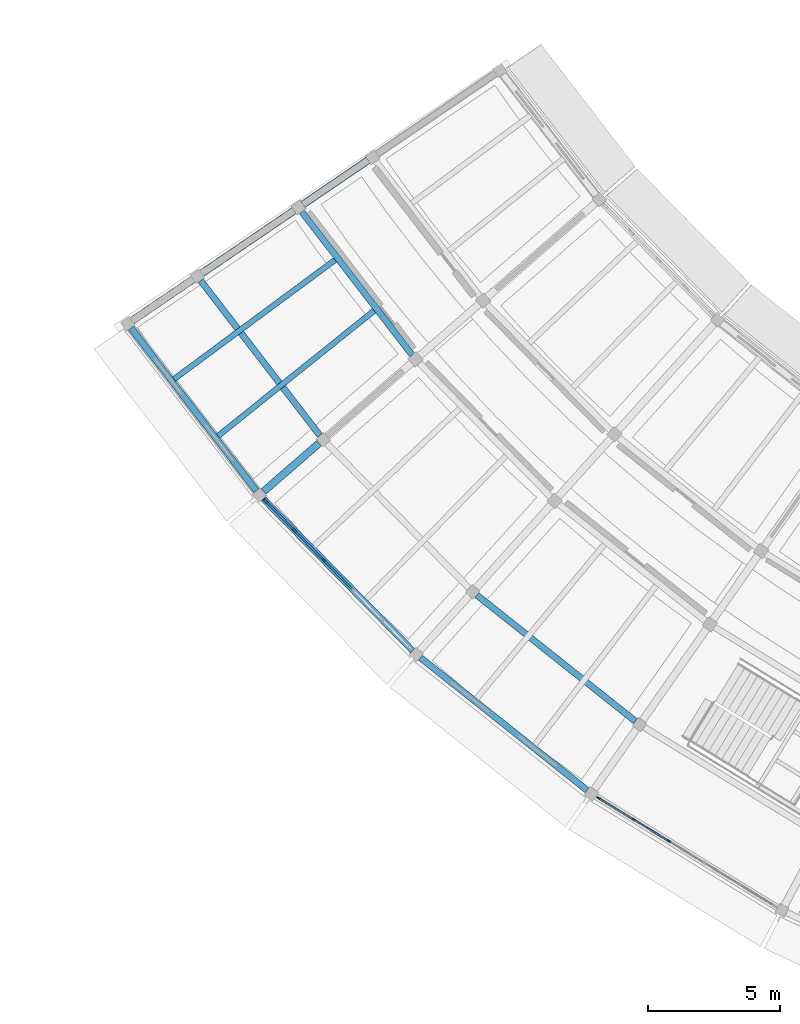
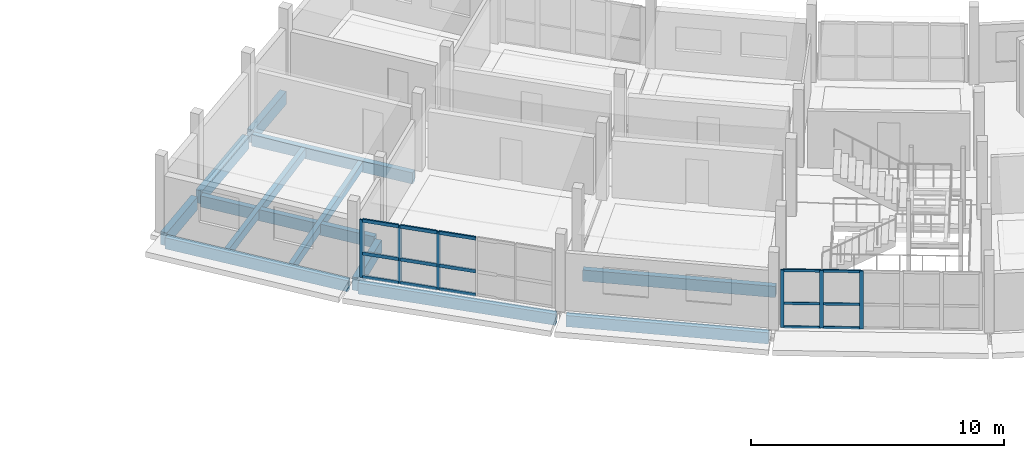
# One storey, part 19 of 77: 21 members, 12 beams, 2 elements without a shape of their own.
"""IFC4 building model written with IfcOpenShell, lengths in metres."""

import ifcopenshell
import ifcopenshell.guid

model = None  # the IFC model being written
_history = None  # IfcOwnerHistory: only IFC2X3 demands one
_inside = {}  # id of a spatial element -> (the spatial element, [elements in it])
_under = {}  # id of a project, library or spatial element -> (it, [spatial elements below it])
_declared = {}  # id of a project -> (the project, [libraries it declares])
_typed = {}  # id of a type object -> (the type object, [elements of that type])
_made_of = {}  # id of a material, layer set ... -> (it, [elements and type objects made of it])


def new_model(schema):
    """Start an empty IFC model of exactly this schema.

    Asked for "IFC4X3", IfcOpenShell would pick the latest addendum, in which some entities
    have other attributes; the version numbers below select the first issue.
    IFC2X3 requires an IfcOwnerHistory on every rooted entity: one is made here for all.
    """
    global model, _history
    if schema == "IFC4X3":
        model = ifcopenshell.file(schema_version=(4, 3, 0, 0))
    else:
        model = ifcopenshell.file(schema=schema)
    _inside.clear()
    _under.clear()
    _declared.clear()
    _typed.clear()
    _made_of.clear()
    _history = None
    if model.schema == "IFC2X3":
        org = make("IfcOrganization", Name="unknown")
        user = make(
            "IfcPersonAndOrganization",
            ThePerson=make("IfcPerson", FamilyName="unknown"),
            TheOrganization=org,
        )
        app = make(
            "IfcApplication",
            ApplicationDeveloper=org,
            Version="unknown",
            ApplicationFullName="unknown",
            ApplicationIdentifier="unknown",
        )
        _history = make(
            "IfcOwnerHistory",
            OwningUser=user,
            OwningApplication=app,
            ChangeAction="ADDED",
            CreationDate=0,
        )
    return model


def make(cls, **values):
    """One entity of the class cls with the attributes given. An attribute that is None is left unset."""
    return model.create_entity(
        cls, **{name: value for name, value in values.items() if value is not None}
    )


def rooted(cls, **values):
    """An entity with a GlobalId (a new one), such as an element, a storey or a relation."""
    return make(cls, GlobalId=ifcopenshell.guid.new(), OwnerHistory=_history, **values)


def si_unit(unit_type, name, prefix=None):
    """IfcSIUnit, for example si_unit("LENGTHUNIT", "METRE", prefix="MILLI")."""
    return make("IfcSIUnit", UnitType=unit_type, Prefix=prefix, Name=name)


def assignment(units):
    """IfcUnitAssignment: the units of a project."""
    return None if units is None else make("IfcUnitAssignment", Units=units)


def point(xyz):
    """IfcCartesianPoint."""
    return None if xyz is None else make("IfcCartesianPoint", Coordinates=xyz)


def direction(xyz):
    """IfcDirection."""
    return None if xyz is None else make("IfcDirection", DirectionRatios=xyz)


def frame(location, z_axis=None, x_axis=None):
    """IfcAxis2Placement3D, a coordinate frame: its origin and axes. An axis left out is left unset."""
    return make(
        "IfcAxis2Placement3D",
        Location=point(location),
        Axis=direction(z_axis),
        RefDirection=direction(x_axis),
    )


def frame_2d(location, x_axis=None):
    """IfcAxis2Placement2D, a coordinate frame in the plane: its origin and x axis."""
    return make(
        "IfcAxis2Placement2D", Location=point(location), RefDirection=direction(x_axis)
    )


def origin():
    """The frame at (0, 0, 0) with its axes left unset."""
    return frame((0.0, 0.0, 0.0))


def origin_2d():
    """The frame at (0, 0) in the plane with its x axis left unset."""
    return frame_2d((0.0, 0.0))


def place(relative_to, where):
    """IfcLocalPlacement: puts the frame where relative to a parent placement (None: the world)."""
    return make(
        "IfcLocalPlacement", PlacementRelTo=relative_to, RelativePlacement=where
    )


def context(
    kind, dimensions, precision=None, world=None, true_north=None, identifier=None
):
    """IfcGeometricRepresentationContext, for example the 3D "Model" context."""
    return make(
        "IfcGeometricRepresentationContext",
        ContextIdentifier=identifier,
        ContextType=kind,
        CoordinateSpaceDimension=dimensions,
        Precision=precision,
        WorldCoordinateSystem=world,
        TrueNorth=true_north,
    )


def subcontext(parent, identifier, kind, view, scale=None):
    """IfcGeometricRepresentationSubContext, for example "Body" below "Model"."""
    return make(
        "IfcGeometricRepresentationSubContext",
        ContextIdentifier=identifier,
        ContextType=kind,
        ParentContext=parent,
        TargetScale=scale,
        TargetView=view,
    )


def project(units=None, contexts=None):
    """IfcProject with its units and contexts."""
    return rooted(
        "IfcProject",
        Name="project",
        RepresentationContexts=contexts,
        UnitsInContext=assignment(units),
    )


def spatial(cls, under=None, at=None, **own):
    """A site, building, storey or space (cls), placed at a placement, below another one or the project."""
    s = rooted(cls, ObjectPlacement=at, **own)
    if under is not None:
        _under.setdefault(under.id(), (under, []))[1].append(s)
    return s


def profile(cls, at=None, kind="AREA", **sizes):
    """A parametric profile (cls). Its sizes go by their IFC names, for example OverallWidth=200.0."""
    return make(cls, ProfileType=kind, Position=at, **sizes)


def rectangle(**sizes):
    """IfcRectangleProfileDef."""
    return profile("IfcRectangleProfileDef", **sizes)


def extrude(swept, where, along, depth):
    """IfcExtrudedAreaSolid: the profile swept, set in the frame where, extruded along a direction by depth."""
    return make(
        "IfcExtrudedAreaSolid",
        SweptArea=swept,
        Position=where,
        ExtrudedDirection=direction(along),
        Depth=depth,
    )


def shape(context_of_items, identifier, shape_type, items):
    """IfcShapeRepresentation: the items that make up one representation, for example the "Body"."""
    return make(
        "IfcShapeRepresentation",
        ContextOfItems=context_of_items,
        RepresentationIdentifier=identifier,
        RepresentationType=shape_type,
        Items=items,
    )


def material(Name=None, Category=None):
    """IfcMaterial."""
    return make("IfcMaterial", Name=Name, Category=Category)


def layer(
    of_material, thickness, ventilated=None, Name=None, Category=None, Priority=None
):
    """IfcMaterialLayer: one layer of a wall or slab, of a material (None: an air gap)."""
    return make(
        "IfcMaterialLayer",
        Material=of_material,
        LayerThickness=thickness,
        IsVentilated=ventilated,
        Name=Name,
        Category=Category,
        Priority=Priority,
    )


def layer_set(layers, Name=None):
    """IfcMaterialLayerSet."""
    return make("IfcMaterialLayerSet", MaterialLayers=layers, LayerSetName=Name)


def material_profile(
    of_material, cross_section, Name=None, Category=None, Priority=None
):
    """IfcMaterialProfile: a cross section and its material."""
    return make(
        "IfcMaterialProfile",
        Name=Name,
        Material=of_material,
        Profile=cross_section,
        Priority=Priority,
        Category=Category,
    )


def profile_set(profiles, Name=None, composite=None):
    """IfcMaterialProfileSet."""
    return make(
        "IfcMaterialProfileSet",
        Name=Name,
        MaterialProfiles=profiles,
        CompositeProfile=composite,
    )


def made_of(thing, what):
    """Note that an element or type object is made of a material, layer set ...; save() writes the relation."""
    if what is not None:
        _made_of.setdefault(what.id(), (what, []))[1].append(thing)
    return thing


def type_object(cls, material=None, **own):
    """A type object (cls), such as IfcWallType, which elements share."""
    return made_of(rooted(cls, **own), material)


def element(
    cls,
    number,
    at=None,
    inside=None,
    cuts=None,
    type_object=None,
    material=None,
    context=None,
    identifier="Body",
    shape_type=None,
    held_by="IfcProductDefinitionShape",
    body=None,
    shapes=None,
    **own,
):
    """One element of the class cls, such as IfcWall. Its Tag is "e" and its number.

    at: its placement. inside: the storey or other place that contains it. cuts: it is an
    opening in that element (IfcRelVoidsElement). A single representation is given by context,
    identifier, shape_type and body (its items); several are given by shapes. held_by: the class
    of the entity that holds the representations. save() writes the other relations.
    """
    e = rooted(cls, Tag="e%d" % number, ObjectPlacement=at, **own)
    if body is not None:
        shapes = [shape(context, identifier, shape_type, body)]
    if shapes is not None:
        e.Representation = make(held_by, Representations=shapes)
    if inside is not None:
        _inside.setdefault(inside.id(), (inside, []))[1].append(e)
    if cuts is not None:
        rooted(
            "IfcRelVoidsElement", RelatingBuildingElement=cuts, RelatedOpeningElement=e
        )
    if type_object is not None:
        _typed.setdefault(type_object.id(), (type_object, []))[1].append(e)
    return made_of(e, material)


def aggregate(whole, parts):
    """IfcRelAggregates: a whole, such as a stair, and the parts it consists of."""
    return rooted("IfcRelAggregates", RelatingObject=whole, RelatedObjects=parts)


def save(model, path):
    """Write the relations noted so far, then the file.

    IfcRelAggregates (storeys below a building ...), IfcRelContainedInSpatialStructure (elements
    in a storey), IfcRelDefinesByType, IfcRelAssociatesMaterial and IfcRelDeclares: one each for
    every whole, place, type object, material and project.
    """
    for whole, parts in _under.values():
        aggregate(whole, parts)
    for where, things in _inside.values():
        rooted(
            "IfcRelContainedInSpatialStructure",
            RelatedElements=things,
            RelatingStructure=where,
        )
    for kind, things in _typed.values():
        rooted("IfcRelDefinesByType", RelatedObjects=things, RelatingType=kind)
    for what, things in _made_of.values():
        rooted("IfcRelAssociatesMaterial", RelatedObjects=things, RelatingMaterial=what)
    for by, libraries in _declared.values():
        rooted("IfcRelDeclares", RelatingContext=by, RelatedDefinitions=libraries)
    model.write(path)


model = new_model("IFC4")

# Units and contexts
model_context = context("Model", 3, precision=1e-05, world=origin(), true_north=direction((0.0, 1.0)))
body_context = subcontext(model_context, "Body", "Model", "MODEL_VIEW")
ifc_project = project(units=[si_unit("LENGTHUNIT", "METRE"), si_unit("AREAUNIT", "SQUARE_METRE"), si_unit("VOLUMEUNIT", "CUBIC_METRE"), si_unit("PLANEANGLEUNIT", "RADIAN"), si_unit("MASSUNIT", "GRAM", prefix="KILO")], contexts=[model_context])

# Site, building, storey
site_placement = place(None, origin())
site = spatial("IfcSite", under=ifc_project, at=site_placement, CompositionType="ELEMENT")
building_placement = place(site_placement, origin())
building = spatial("IfcBuilding", under=site, at=building_placement, Name="Caldaven Crescent School", CompositionType="ELEMENT")
storey_placement = place(building_placement, frame((0.0, 0.0, 4.419921875)))
storey = spatial("IfcBuildingStorey", under=building, at=storey_placement, Name="L01", CompositionType="ELEMENT", Elevation=4.419921875)

# Beams
ifc_material_1 = material(Name="Glulam MLE24h (GL28h)", Category="wood")
ifc_material_profile_1 = material_profile(ifc_material_1, rectangle(XDim=0.239990234375, YDim=0.5400390625, at=origin_2d()), Name="MLE 240x540")
ifc_profile_set_1 = profile_set([ifc_material_profile_1], Name="Glulam MLE24h (GL28h)")
beam_type_1 = type_object("IfcBeamType", Name="BM-GL54", PredefinedType="BEAM", material=ifc_profile_set_1)
beam_1_placement = place(storey_placement, frame((37.115234375, 61.1259765625, -0.489990234375), z_axis=(0.610409413831, -0.792086073294, 0.0), x_axis=(0.792086073294, 0.610409413831, 0.0)))
element("IfcBeam", 1, at=beam_1_placement, inside=storey, type_object=beam_type_1, Name="BMT-V4W-L01-0957", PredefinedType="BEAM", context=body_context, shape_type="SweptSolid", body=[
    extrude(rectangle(XDim=0.239990234375, YDim=0.5400390625, at=origin_2d()), origin(), (0.0, 0.0, 1.0), 6.870849609375),
])
beam_2_placement = place(storey_placement, frame((33.27099609375, 58.510009765625, -0.489990234375), z_axis=(0.610378420068, -0.792109957213, 0.0), x_axis=(0.792109957213, 0.610378420068, 0.0)))
element("IfcBeam", 2, at=beam_2_placement, inside=storey, type_object=beam_type_1, Name="BMT-V4W-L01-0958", PredefinedType="BEAM", context=body_context, shape_type="SweptSolid", body=[
    extrude(rectangle(XDim=0.239990234375, YDim=0.5400390625, at=origin_2d()), origin(), (0.0, 0.0, 1.0), 7.419677734375),
])
beam_3_placement = place(storey_placement, frame((43.763671875, 46.564697265625, -0.489990234375), z_axis=(0.782603163037, -0.622520914672, 0.0), x_axis=(0.622520914672, 0.782603163037, 0.0)))
element("IfcBeam", 3, at=beam_3_placement, inside=storey, type_object=beam_type_1, Name="BMT-V4W-L01-0976", PredefinedType="BEAM", context=body_context, shape_type="SweptSolid", body=[
    extrude(rectangle(XDim=0.239990234375, YDim=0.5400390625, at=origin_2d()), origin(), (0.0, 0.0, 1.0), 7.691162109375),
])
ifc_material_profile_2 = material_profile(ifc_material_1, rectangle(XDim=0.280029296875, YDim=0.6298828125, at=origin_2d()), Name="MLE 280x630")
ifc_profile_set_2 = profile_set([ifc_material_profile_2], Name="Glulam MLE24h (GL28h)")
beam_type_2 = type_object("IfcBeamType", Name="BM-GL63", PredefinedType="BEAM", material=ifc_profile_set_2)
beam_4_placement = place(storey_placement, frame((39.631591796875, 63.0859375, -0.534912109375), z_axis=(-0.826736616188, -0.562589164003, 0.0), x_axis=(0.562589164003, -0.826736616188, 0.0)))
element("IfcBeam", 4, at=beam_4_placement, inside=storey, type_object=beam_type_2, Name="BMR-V4W-L01-0932", PredefinedType="BEAM", context=body_context, shape_type="SweptSolid", body=[
    extrude(rectangle(XDim=0.280029296875, YDim=0.6298828125, at=origin_2d()), origin(), (0.0, 0.0, 1.0), 2.989990234375),
])
beam_5_placement = place(storey_placement, frame((36.82080078125, 61.173095703125, -0.534912109375), z_axis=(-0.82675082018, -0.562568290372, 0.0), x_axis=(0.562568290372, -0.82675082018, 0.0)))
element("IfcBeam", 5, at=beam_5_placement, inside=storey, type_object=beam_type_2, Name="BMR-V4W-L01-0933", PredefinedType="BEAM", context=body_context, shape_type="SweptSolid", body=[
    extrude(rectangle(XDim=0.280029296875, YDim=0.6298828125, at=origin_2d()), origin(), (0.0, 0.0, 1.0), 4.239990234375),
])
for number, where, z_axis, x_axis, name in (
    (6, (32.976318359375, 58.55712890625, -0.534912109375), (-0.826749057063, -0.562570881441, 0.0), (0.562570881441, -0.826749057063, 0.0), "BMR-V4W-L01-0934"),
    (7, (37.770263671875, 52.3359375, -0.534912109375), (-0.754735494095, -0.656029217302, 0.0), (0.656029217302, -0.754735494095, 0.0), "BMR-V4W-L01-0938"),
):
    element("IfcBeam", number, at=place(storey_placement, frame(where, z_axis=z_axis, x_axis=x_axis)), inside=storey, type_object=beam_type_2, Name=name, PredefinedType="BEAM", context=body_context, shape_type="SweptSolid", body=[
        extrude(rectangle(XDim=0.280029296875, YDim=0.6298828125, at=origin_2d()), origin(), (0.0, 0.0, 1.0), 2.7900390625),
    ])

# Curtain wall, members
ifc_material_2 = material(Name="Anodised aluminium AA 6063-T6 and low-E double glazing", Category="aluminium")
ifc_layer_1 = layer(ifc_material_2, 0.2099609375)
ifc_layer_set_1 = layer_set([ifc_layer_1], Name="Anodised aluminium AA 6063-T6 and low-E double glazing")
curtain_wall_type_1 = type_object("IfcCurtainWallType", Name="CW-SYS3", PredefinedType="NOTDEFINED", material=ifc_layer_set_1)
curtain_wall_1_placement = place(storey_placement, origin())
curtain_wall_1 = element("IfcCurtainWall", 8, at=curtain_wall_1_placement, inside=storey, type_object=curtain_wall_type_1, Name="CW-L01-120", PredefinedType="NOTDEFINED")
ifc_material_3 = material(Name="Anodised aluminium AA 6063-T6", Category="aluminium")
ifc_material_profile_3 = material_profile(ifc_material_3, rectangle(XDim=0.06005859375, YDim=0.14990234375, at=origin_2d()), Name="CWM 60x150")
ifc_profile_set_3 = profile_set([ifc_material_profile_3], Name="Anodised aluminium AA 6063-T6")
member_type_1 = type_object("IfcMemberType", Name="CWM-T1", PredefinedType="MULLION", material=ifc_profile_set_3)
member_1_placement = place(storey_placement, frame((48.38916015625, 38.85546875, 0.0), z_axis=(0.0, 0.0, 1.0), x_axis=(0.522499361435, 0.852639676124, 0.0)))
member_1 = element("IfcMember", 9, at=member_1_placement, type_object=member_type_1, Name="CW3 mullion 1", PredefinedType="MULLION", context=body_context, shape_type="SweptSolid", body=[
    extrude(rectangle(XDim=0.06005859375, YDim=0.14990234375, at=origin_2d()), origin(), (0.0, 0.0, 1.0), 2.780029296875),
])
member_2_placement = place(storey_placement, frame((49.709228515625, 38.046630859375, 0.0), z_axis=(0.0, 0.0, 1.0), x_axis=(0.522499361435, 0.852639676124, 0.0)))
member_2 = element("IfcMember", 10, at=member_2_placement, type_object=member_type_1, Name="CW3 mullion 2", PredefinedType="MULLION", context=body_context, shape_type="SweptSolid", body=[
    extrude(rectangle(XDim=0.06005859375, YDim=0.14990234375, at=origin_2d()), origin(), (0.0, 0.0, 1.0), 2.780029296875),
])
member_3_placement = place(storey_placement, frame((51.05517578125, 37.221923828125, 0.0), z_axis=(0.0, 0.0, 1.0), x_axis=(0.522499361435, 0.852639676124, 0.0)))
member_3 = element("IfcMember", 11, at=member_3_placement, type_object=member_type_1, Name="CW3 mullion 3", PredefinedType="MULLION", context=body_context, shape_type="SweptSolid", body=[
    extrude(rectangle(XDim=0.06005859375, YDim=0.14990234375, at=origin_2d()), origin(), (0.0, 0.0, 1.0), 2.780029296875),
])

ifc_layer_2 = layer(ifc_material_2, 0.169921875)
ifc_layer_set_2 = layer_set([ifc_layer_2], Name="Anodised aluminium AA 6063-T6 and low-E double glazing")
curtain_wall_type_2 = type_object("IfcCurtainWallType", Name="CW-SYS1", PredefinedType="NOTDEFINED", material=ifc_layer_set_2)
curtain_wall_2_placement = place(storey_placement, origin())
curtain_wall_2 = element("IfcCurtainWall", 12, at=curtain_wall_2_placement, inside=storey, type_object=curtain_wall_type_2, Name="CW-L01-118", PredefinedType="NOTDEFINED")
ifc_material_profile_4 = material_profile(ifc_material_3, rectangle(XDim=0.06494140625, YDim=0.179931640625, at=origin_2d()), Name="CWM 65x180")
ifc_profile_set_4 = profile_set([ifc_material_profile_4], Name="Anodised aluminium AA 6063-T6")
member_type_2 = type_object("IfcMemberType", Name="CWM-T2", PredefinedType="MULLION", material=ifc_profile_set_4)
member_4_placement = place(storey_placement, frame((35.742919921875, 50.134033203125, 0.0), z_axis=(0.0, 0.0, 1.0), x_axis=(0.713250774972, 0.700908932745, 0.0)))
member_4 = element("IfcMember", 13, at=member_4_placement, type_object=member_type_2, Name="CW1 mullion 1", PredefinedType="MULLION", context=body_context, shape_type="SweptSolid", body=[
    extrude(rectangle(XDim=0.06494140625, YDim=0.179931640625, at=origin_2d()), origin(), (0.0, 0.0, 1.0), 2.780029296875),
])
member_5_placement = place(storey_placement, frame((36.826416015625, 49.03125, 0.0), z_axis=(0.0, 0.0, 1.0), x_axis=(0.713250774972, 0.700908932745, 0.0)))
member_5 = element("IfcMember", 14, at=member_5_placement, type_object=member_type_2, Name="CW1 mullion 2", PredefinedType="MULLION", context=body_context, shape_type="SweptSolid", body=[
    extrude(rectangle(XDim=0.06494140625, YDim=0.179931640625, at=origin_2d()), origin(), (0.0, 0.0, 1.0), 2.780029296875),
])
member_6_placement = place(storey_placement, frame((37.932861328125, 47.905517578125, 0.0), z_axis=(0.0, 0.0, 1.0), x_axis=(0.713250774972, 0.700908932745, 0.0)))
member_6 = element("IfcMember", 15, at=member_6_placement, type_object=member_type_2, Name="CW1 mullion 3", PredefinedType="MULLION", context=body_context, shape_type="SweptSolid", body=[
    extrude(rectangle(XDim=0.06494140625, YDim=0.179931640625, at=origin_2d()), origin(), (0.0, 0.0, 1.0), 2.780029296875),
])

# Member
ifc_material_profile_5 = material_profile(ifc_material_3, rectangle(XDim=0.06005859375, YDim=0.1201171875, at=origin_2d()), Name="CWT 60x120")
ifc_profile_set_5 = profile_set([ifc_material_profile_5], Name="Anodised aluminium AA 6063-T6")
member_type_3 = type_object("IfcMemberType", Name="CWT-T1", PredefinedType="USERDEFINED", material=ifc_profile_set_5)
member_7_placement = place(storey_placement, frame((48.414794921875, 38.83984375, 0.030029296875), z_axis=(0.852664900426, -0.522458196971, 0.0), x_axis=(0.522458196971, 0.852664900426, 0.0)))
member_7 = element("IfcMember", 16, at=member_7_placement, type_object=member_type_3, Name="CW3 transom 1.1", ObjectType="TRANSOM", PredefinedType="USERDEFINED", context=body_context, shape_type="SweptSolid", body=[
    extrude(rectangle(XDim=0.06005859375, YDim=0.1201171875, at=origin_2d()), origin(), (0.0, 0.0, 1.0), 1.48828125),
])

member_8_placement = place(storey_placement, frame((48.414794921875, 38.83984375, 1.16796875), z_axis=(0.852664900426, -0.522458196971, 0.0), x_axis=(0.522458196971, 0.852664900426, 0.0)))
member_8 = element("IfcMember", 17, at=member_8_placement, type_object=member_type_3, Name="CW3 transom 1.2", ObjectType="TRANSOM", PredefinedType="USERDEFINED", context=body_context, shape_type="SweptSolid", body=[
    extrude(rectangle(XDim=0.06005859375, YDim=0.1201171875, at=origin_2d()), origin(), (0.0, 0.0, 1.0), 1.48828125),
])

member_9_placement = place(storey_placement, frame((48.414794921875, 38.83984375, 2.75), z_axis=(0.852664900426, -0.522458196971, 0.0), x_axis=(0.522458196971, 0.852664900426, 0.0)))
member_9 = element("IfcMember", 18, at=member_9_placement, type_object=member_type_3, Name="CW3 transom 1.3", ObjectType="TRANSOM", PredefinedType="USERDEFINED", context=body_context, shape_type="SweptSolid", body=[
    extrude(rectangle(XDim=0.06005859375, YDim=0.1201171875, at=origin_2d()), origin(), (0.0, 0.0, 1.0), 1.48828125),
])

member_10_placement = place(storey_placement, frame((49.73486328125, 38.03076171875, 0.030029296875), z_axis=(0.852689056605, -0.522418771433, 0.0), x_axis=(0.522418771433, 0.852689056605, 0.0)))
member_10 = element("IfcMember", 19, at=member_10_placement, type_object=member_type_3, Name="CW3 transom 2.1", ObjectType="TRANSOM", PredefinedType="USERDEFINED", context=body_context, shape_type="SweptSolid", body=[
    extrude(rectangle(XDim=0.06005859375, YDim=0.1201171875, at=origin_2d()), origin(), (0.0, 0.0, 1.0), 1.518310546875),
])

member_11_placement = place(storey_placement, frame((49.73486328125, 38.03076171875, 1.16796875), z_axis=(0.852689056605, -0.522418771433, 0.0), x_axis=(0.522418771433, 0.852689056605, 0.0)))
member_11 = element("IfcMember", 20, at=member_11_placement, type_object=member_type_3, Name="CW3 transom 2.2", ObjectType="TRANSOM", PredefinedType="USERDEFINED", context=body_context, shape_type="SweptSolid", body=[
    extrude(rectangle(XDim=0.06005859375, YDim=0.1201171875, at=origin_2d()), origin(), (0.0, 0.0, 1.0), 1.518310546875),
])

member_12_placement = place(storey_placement, frame((49.73486328125, 38.03076171875, 2.75), z_axis=(0.852689056605, -0.522418771433, 0.0), x_axis=(0.522418771433, 0.852689056605, 0.0)))
member_12 = element("IfcMember", 21, at=member_12_placement, type_object=member_type_3, Name="CW3 transom 2.3", ObjectType="TRANSOM", PredefinedType="USERDEFINED", context=body_context, shape_type="SweptSolid", body=[
    extrude(rectangle(XDim=0.06005859375, YDim=0.1201171875, at=origin_2d()), origin(), (0.0, 0.0, 1.0), 1.518310546875),
])

aggregate(curtain_wall_1, [member_1, member_2, member_3, member_7, member_8, member_9, member_10, member_11, member_12])

ifc_material_profile_6 = material_profile(ifc_material_3, rectangle(XDim=0.070068359375, YDim=0.159912109375, at=origin_2d()), Name="CWT 70x160")
ifc_profile_set_6 = profile_set([ifc_material_profile_6], Name="Anodised aluminium AA 6063-T6")
member_type_4 = type_object("IfcMemberType", Name="CWT-T3", PredefinedType="USERDEFINED", material=ifc_profile_set_6)
member_13_placement = place(storey_placement, frame((35.765869140625, 50.11083984375, 0.03515625), z_axis=(0.700814398629, -0.71334366099, 0.0), x_axis=(0.71334366099, 0.700814398629, 0.0)))
member_13 = element("IfcMember", 22, at=member_13_placement, type_object=member_type_4, Name="CW1 transom 1.1", ObjectType="TRANSOM", PredefinedType="USERDEFINED", context=body_context, shape_type="SweptSolid", body=[
    extrude(rectangle(XDim=0.070068359375, YDim=0.159912109375, at=origin_2d()), origin(), (0.0, 0.0, 1.0), 1.48095703125),
])

member_14_placement = place(storey_placement, frame((35.765869140625, 50.11083984375, 1.16796875), z_axis=(0.700814398629, -0.71334366099, 0.0), x_axis=(0.71334366099, 0.700814398629, 0.0)))
member_14 = element("IfcMember", 23, at=member_14_placement, type_object=member_type_4, Name="CW1 transom 1.2", ObjectType="TRANSOM", PredefinedType="USERDEFINED", context=body_context, shape_type="SweptSolid", body=[
    extrude(rectangle(XDim=0.070068359375, YDim=0.159912109375, at=origin_2d()), origin(), (0.0, 0.0, 1.0), 1.48095703125),
])

member_15_placement = place(storey_placement, frame((35.765869140625, 50.11083984375, 2.7451171875), z_axis=(0.700814398629, -0.71334366099, 0.0), x_axis=(0.71334366099, 0.700814398629, 0.0)))
member_15 = element("IfcMember", 24, at=member_15_placement, type_object=member_type_4, Name="CW1 transom 1.3", ObjectType="TRANSOM", PredefinedType="USERDEFINED", context=body_context, shape_type="SweptSolid", body=[
    extrude(rectangle(XDim=0.070068359375, YDim=0.159912109375, at=origin_2d()), origin(), (0.0, 0.0, 1.0), 1.48095703125),
])

member_16_placement = place(storey_placement, frame((36.849365234375, 49.008056640625, 0.03515625), z_axis=(0.700867846191, -0.713291148253, 0.0), x_axis=(0.713291148253, 0.700867846191, 0.0)))
member_16 = element("IfcMember", 25, at=member_16_placement, type_object=member_type_4, Name="CW1 transom 2.1", ObjectType="TRANSOM", PredefinedType="USERDEFINED", context=body_context, shape_type="SweptSolid", body=[
    extrude(rectangle(XDim=0.070068359375, YDim=0.159912109375, at=origin_2d()), origin(), (0.0, 0.0, 1.0), 1.51318359375),
])

member_17_placement = place(storey_placement, frame((36.849365234375, 49.008056640625, 1.16796875), z_axis=(0.700867846191, -0.713291148253, 0.0), x_axis=(0.713291148253, 0.700867846191, 0.0)))
member_17 = element("IfcMember", 26, at=member_17_placement, type_object=member_type_4, Name="CW1 transom 2.2", ObjectType="TRANSOM", PredefinedType="USERDEFINED", context=body_context, shape_type="SweptSolid", body=[
    extrude(rectangle(XDim=0.070068359375, YDim=0.159912109375, at=origin_2d()), origin(), (0.0, 0.0, 1.0), 1.51318359375),
])

member_18_placement = place(storey_placement, frame((36.849365234375, 49.008056640625, 2.7451171875), z_axis=(0.700867846191, -0.713291148253, 0.0), x_axis=(0.713291148253, 0.700867846191, 0.0)))
member_18 = element("IfcMember", 27, at=member_18_placement, type_object=member_type_4, Name="CW1 transom 2.3", ObjectType="TRANSOM", PredefinedType="USERDEFINED", context=body_context, shape_type="SweptSolid", body=[
    extrude(rectangle(XDim=0.070068359375, YDim=0.159912109375, at=origin_2d()), origin(), (0.0, 0.0, 1.0), 1.51318359375),
])

member_19_placement = place(storey_placement, frame((37.95556640625, 47.88232421875, 0.03515625), z_axis=(0.700949920328, -0.713210494309, 0.0), x_axis=(0.713210494309, 0.700949920328, 0.0)))
member_19 = element("IfcMember", 28, at=member_19_placement, type_object=member_type_4, Name="CW1 transom 3.1", ObjectType="TRANSOM", PredefinedType="USERDEFINED", context=body_context, shape_type="SweptSolid", body=[
    extrude(rectangle(XDim=0.070068359375, YDim=0.159912109375, at=origin_2d()), origin(), (0.0, 0.0, 1.0), 1.513427734375),
])

member_20_placement = place(storey_placement, frame((37.95556640625, 47.88232421875, 1.16796875), z_axis=(0.700949920328, -0.713210494309, 0.0), x_axis=(0.713210494309, 0.700949920328, 0.0)))
member_20 = element("IfcMember", 29, at=member_20_placement, type_object=member_type_4, Name="CW1 transom 3.2", ObjectType="TRANSOM", PredefinedType="USERDEFINED", context=body_context, shape_type="SweptSolid", body=[
    extrude(rectangle(XDim=0.070068359375, YDim=0.159912109375, at=origin_2d()), origin(), (0.0, 0.0, 1.0), 1.513427734375),
])

member_21_placement = place(storey_placement, frame((37.95556640625, 47.88232421875, 2.7451171875), z_axis=(0.700949920328, -0.713210494309, 0.0), x_axis=(0.713210494309, 0.700949920328, 0.0)))
member_21 = element("IfcMember", 30, at=member_21_placement, type_object=member_type_4, Name="CW1 transom 3.3", ObjectType="TRANSOM", PredefinedType="USERDEFINED", context=body_context, shape_type="SweptSolid", body=[
    extrude(rectangle(XDim=0.070068359375, YDim=0.159912109375, at=origin_2d()), origin(), (0.0, 0.0, 1.0), 1.513427734375),
])

aggregate(curtain_wall_2, [member_4, member_5, member_6, member_13, member_14, member_15, member_16, member_17, member_18, member_19, member_20, member_21])

# Beams
ifc_material_profile_7 = material_profile(ifc_material_1, rectangle(XDim=0.2099609375, YDim=0.419921875, at=origin_2d()), Name="MLE 210x420")
ifc_profile_set_7 = profile_set([ifc_material_profile_7], Name="Glulam MLE24h (GL28h)")
beam_type_3 = type_object("IfcBeamType", Name="JS-GL42", PredefinedType="JOIST", material=ifc_profile_set_7)
for number, where, z_axis, x_axis, name in (
    (31, (38.379150390625, 59.297607421875, -0.429931640625), (-0.803968012715, -0.594672543952, 0.0), (0.594672543952, -0.803968012715, 0.0), "JSR-V4W-L01-0961"),
    (32, (39.86328125, 57.37158203125, -0.429931640625), (-0.779931824174, -0.625864481849, 0.0), (0.625864481849, -0.779931824174, 0.0), "JSR-V4W-L01-0963"),
):
    element("IfcBeam", number, at=place(storey_placement, frame(where, z_axis=z_axis, x_axis=x_axis)), inside=storey, type_object=beam_type_3, Name=name, PredefinedType="JOIST", context=body_context, shape_type="SweptSolid", body=[
        extrude(rectangle(XDim=0.2099609375, YDim=0.419921875, at=origin_2d()), origin(), (0.0, 0.0, 1.0), 7.60791015625),
    ])
ifc_material_profile_8 = material_profile(ifc_material_1, rectangle(XDim=0.239990234375, YDim=0.5400390625, at=origin_2d()), Name="MLE 240x540")
ifc_profile_set_8 = profile_set([ifc_material_profile_8], Name="Glulam MLE24h (GL28h)")
beam_type_4 = type_object("IfcBeamType", Name="SP-GL54", PredefinedType="SPANDREL", material=ifc_profile_set_8)
beam_6_placement = place(storey_placement, frame((30.62548828125, 56.709716796875, -0.489990234375), z_axis=(0.610379368367, -0.792109226478, 0.0), x_axis=(0.792109226478, 0.610379368367, 0.0)))
element("IfcBeam", 33, at=beam_6_placement, inside=storey, type_object=beam_type_4, Name="BMT-V4W-L01-0959", PredefinedType="SPANDREL", context=body_context, shape_type="SweptSolid", body=[
    extrude(rectangle(XDim=0.239990234375, YDim=0.5400390625, at=origin_2d()), origin(), (0.0, 0.0, 1.0), 7.79736328125),
])
for number, where, z_axis, x_axis, name in (
    (34, (35.653564453125, 50.224853515625, -0.489990234375), (0.700917484714, -0.713242370882, 0.0), (0.713242370882, 0.700917484714, 0.0), "BMT-V4W-L01-0968"),
    (35, (41.622314453125, 44.186767578125, -0.489990234375), (0.782598712835, -0.62252650921, 0.0), (0.62252650921, 0.782598712835, 0.0), "BMT-V4W-L01-0977"),
):
    element("IfcBeam", number, at=place(storey_placement, frame(where, z_axis=z_axis, x_axis=x_axis)), inside=storey, type_object=beam_type_4, Name=name, PredefinedType="SPANDREL", context=body_context, shape_type="SweptSolid", body=[
        extrude(rectangle(XDim=0.239990234375, YDim=0.5400390625, at=origin_2d()), origin(), (0.0, 0.0, 1.0), 8.08203125),
    ])

save(model, "model.ifc")
